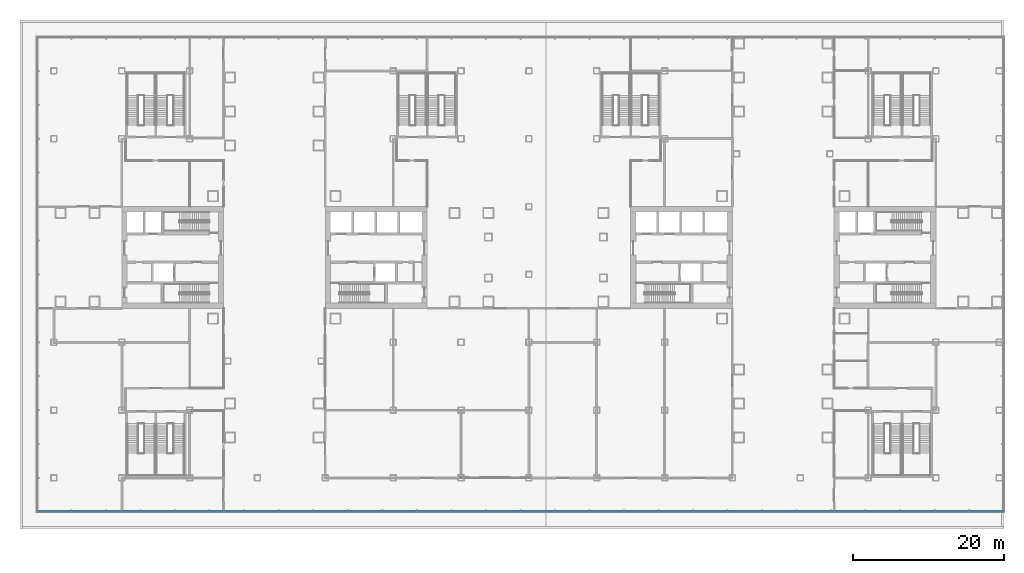
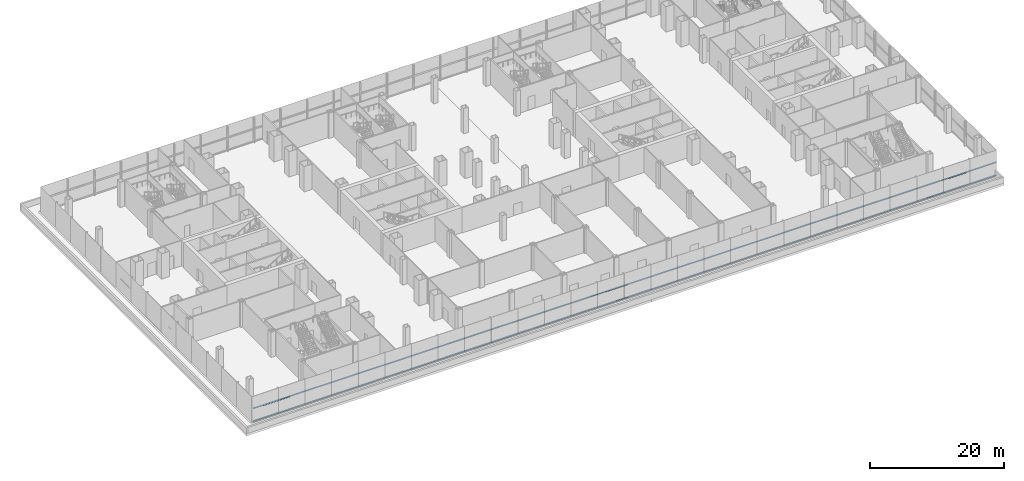
# One storey, part 7 of 33: 2 members, 1 element without a shape of its own.
"""IFC4 building model written with IfcOpenShell, lengths in metres."""

from ifc_helpers import new_model, si_unit, direction, frame, origin, origin_2d, place, context, subcontext, project, spatial, rectangle, extrude, material, layer, layer_set, material_profile, profile_set, type_object, element, aggregate, save


model = new_model("IFC4")

# Units and contexts
model_context = context("Model", 3, precision=1e-05, world=origin(), true_north=direction((0.0, 1.0)))
body_context = subcontext(model_context, "Body", "Model", "MODEL_VIEW")
ifc_project = project(units=[si_unit("LENGTHUNIT", "METRE"), si_unit("AREAUNIT", "SQUARE_METRE"), si_unit("VOLUMEUNIT", "CUBIC_METRE"), si_unit("PLANEANGLEUNIT", "RADIAN"), si_unit("MASSUNIT", "GRAM", prefix="KILO")], contexts=[model_context])

# Site, building, storey
site_placement = place(None, origin())
site = spatial("IfcSite", under=ifc_project, at=site_placement, CompositionType="ELEMENT")
building_placement = place(site_placement, origin())
building = spatial("IfcBuilding", under=site, at=building_placement, Name="Shamsa Quay Exchange Towers", CompositionType="ELEMENT")
storey_placement = place(building_placement, frame((0.0, 0.0, 18.5)))
storey = spatial("IfcBuildingStorey", under=building, at=storey_placement, Name="L03", CompositionType="ELEMENT", Elevation=18.5)

# Curtain wall, members
ifc_material = material(Name="Aluminium EN AW-6063 T6, black anodised", Category="aluminium")
ifc_layer = layer(ifc_material, 0.33203125)
ifc_layer_set = layer_set([ifc_layer], Name="CW-3 PODIUM SHOPFRONT GLAZING")
curtain_wall_type = type_object("IfcCurtainWallType", Name="CW-3 PODIUM SHOPFRONT GLAZING", PredefinedType="NOTDEFINED", material=ifc_layer_set)
curtain_wall_placement = place(storey_placement, origin())
curtain_wall = element("IfcCurtainWall", 1, at=curtain_wall_placement, inside=storey, type_object=curtain_wall_type, Name="CW3 PODIUM-L03-F03", PredefinedType="NOTDEFINED")
ifc_material_profile = material_profile(ifc_material, rectangle(XDim=0.080078125, YDim=0.159912109375, at=origin_2d()), Name="TR160x80")
ifc_profile_set = profile_set([ifc_material_profile], Name="Aluminium EN AW-6063 T6, black anodised")
member_type = type_object("IfcMemberType", Name="CW3 TRANSOM 160x80", PredefinedType="USERDEFINED", material=ifc_profile_set)
member_1_placement = place(storey_placement, frame((-64.947998046875, -33.7099609375, 0.080078125), z_axis=(1.0, 0.0, 0.0), x_axis=(0.0, 1.0, 0.0)))
member_1 = element("IfcMember", 2, at=member_1_placement, type_object=member_type, Name="CW3 transom", ObjectType="TRANSOM", PredefinedType="USERDEFINED", context=body_context, shape_type="SweptSolid", body=[
    extrude(rectangle(XDim=0.080078125, YDim=0.159912109375, at=origin_2d()), origin(), (0.0, 0.0, 1.0), 127.947998046875),
])
member_2_placement = place(storey_placement, frame((-64.947998046875, -33.7099609375, 2.405029296875), z_axis=(1.0, 0.0, 0.0), x_axis=(0.0, 1.0, 0.0)))
member_2 = element("IfcMember", 3, at=member_2_placement, type_object=member_type, Name="CW3 transom", ObjectType="TRANSOM", PredefinedType="USERDEFINED", context=body_context, shape_type="SweptSolid", body=[
    extrude(rectangle(XDim=0.080078125, YDim=0.159912109375, at=origin_2d()), origin(), (0.0, 0.0, 1.0), 127.947998046875),
])
aggregate(curtain_wall, [member_1, member_2])

save(model, "model.ifc")
